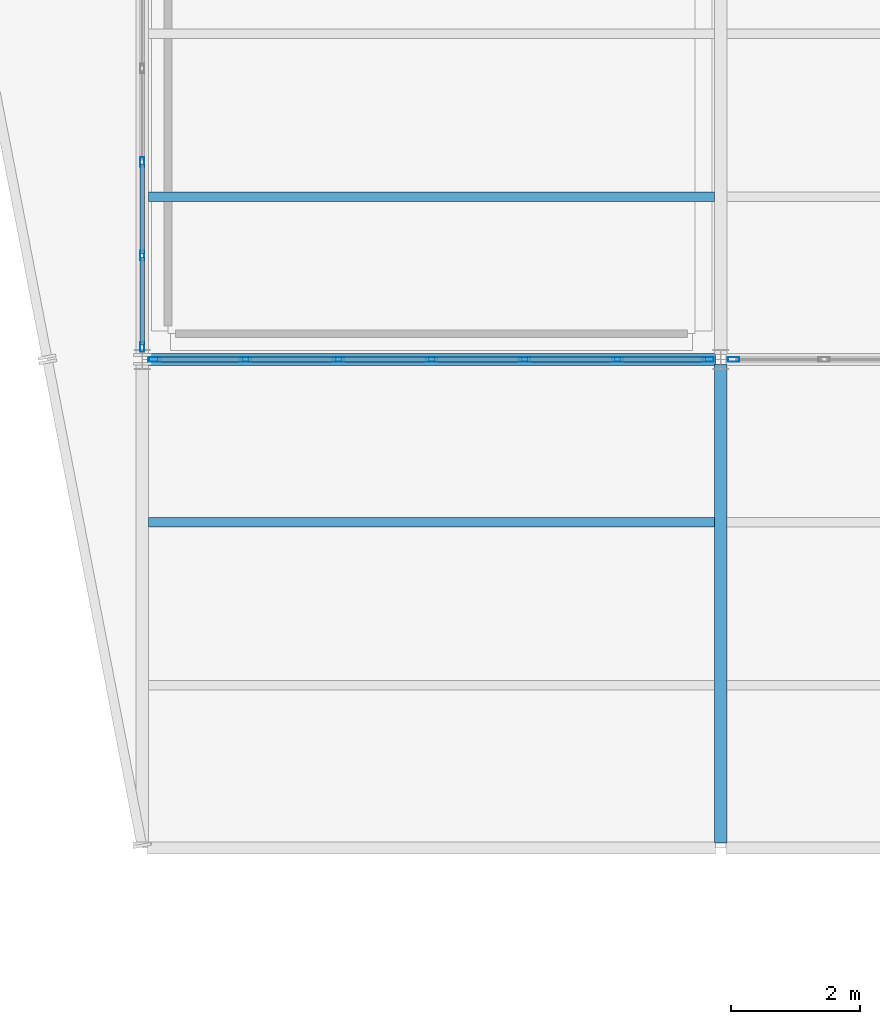
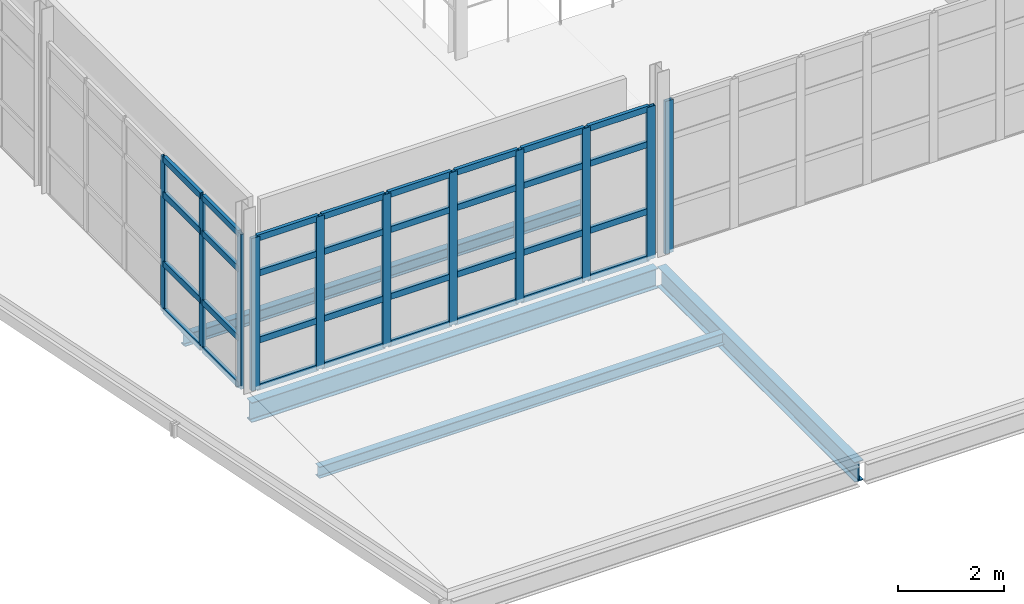
# One storey, part 38 of 96: 43 members, 4 beams, 3 elements without a shape of their own.
"""IFC4 building model written with IfcOpenShell, lengths in metres."""

from ifc_helpers import new_model, si_unit, direction, frame, origin, origin_2d, place, context, subcontext, project, spatial, hollow_rectangle, i_section, extrude, material, material_profile, profile_set, type_object, element, aggregate, save


model = new_model("IFC4")

# Units and contexts
model_context = context("Model", 3, precision=1e-05, world=origin(), true_north=direction((0.0, 1.0)))
body_context = subcontext(model_context, "Body", "Model", "MODEL_VIEW")
ifc_project = project(units=[si_unit("LENGTHUNIT", "METRE"), si_unit("AREAUNIT", "SQUARE_METRE"), si_unit("VOLUMEUNIT", "CUBIC_METRE"), si_unit("PLANEANGLEUNIT", "RADIAN"), si_unit("MASSUNIT", "GRAM", prefix="KILO")], contexts=[model_context])

# Site, building, storey
site_placement = place(None, origin())
site = spatial("IfcSite", under=ifc_project, at=site_placement, CompositionType="ELEMENT")
building_placement = place(site_placement, origin())
building = spatial("IfcBuilding", under=site, at=building_placement, Name="Caisbarro Railhouse Central Library", CompositionType="ELEMENT")
storey_placement = place(building_placement, frame((0.0, 0.0, 13.679931640625)))
storey = spatial("IfcBuildingStorey", under=building, at=storey_placement, Name="L03", CompositionType="ELEMENT", Elevation=13.679931640625)

# Beams
ifc_material_1 = material(Name="Steel ASTM A572 Grade 50", Category="steel")
ifc_material_profile_1 = material_profile(ifc_material_1, i_section(OverallWidth=0.18994140625, OverallDepth=0.45703125, WebThickness=0.009033203125, FlangeThickness=0.014404296875, FilletRadius=0.01806640625, at=origin_2d()), Name="W460X74.0")
ifc_profile_set_1 = profile_set([ifc_material_profile_1], Name="Steel ASTM A572 Grade 50")
beam_type_1 = type_object("IfcBeamType", Name="BM-G08", PredefinedType="BEAM", material=ifc_profile_set_1)
beam_1_placement = place(storey_placement, frame((126.0, 60.8798828125, -0.408447265625), z_axis=(0.0, 1.0, 0.0), x_axis=(-1.0, 0.0, 0.0)))
element("IfcBeam", 1, at=beam_1_placement, inside=storey, type_object=beam_type_1, Name="G08 beam L03 #2412", PredefinedType="BEAM", context=body_context, shape_type="SweptSolid", body=[
    extrude(i_section(OverallWidth=0.18994140625, OverallDepth=0.45703125, WebThickness=0.009033203125, FlangeThickness=0.014404296875, FilletRadius=0.01806640625, at=origin_2d()), origin(), (0.0, 0.0, 1.0), 7.440185546875),
])
ifc_material_profile_2 = material_profile(ifc_material_1, i_section(OverallWidth=0.14794921875, OverallDepth=0.26611328125, WebThickness=0.007568359375, FlangeThickness=0.012939453125, FilletRadius=0.010009765625, at=origin_2d()), Name="W250X44.8")
ifc_profile_set_2 = profile_set([ifc_material_profile_2], Name="Steel ASTM A572 Grade 50")
beam_type_2 = type_object("IfcBeamType", Name="BM-J04", PredefinedType="JOIST", material=ifc_profile_set_2)
for number, where, z_axis, x_axis, name in (
    (2, (117.10009765625, 70.933349609375, -0.35302734375), (1.0, 0.0, 0.0), (0.0, 1.0, 0.0), "J04 beam L03 #1909"),
    (3, (117.10009765625, 65.86669921875, -0.31298828125), (1.0, 0.0, 0.0), (0.0, 1.0, 0.0), "J04 beam L03 #2417"),
):
    element("IfcBeam", number, at=place(storey_placement, frame(where, z_axis=z_axis, x_axis=x_axis)), inside=storey, type_object=beam_type_2, Name=name, PredefinedType="JOIST", context=body_context, shape_type="SweptSolid", body=[
        extrude(i_section(OverallWidth=0.14794921875, OverallDepth=0.26611328125, WebThickness=0.007568359375, FlangeThickness=0.012939453125, FilletRadius=0.010009765625, at=origin_2d()), origin(), (0.0, 0.0, 1.0), 8.804931640625),
    ])
ifc_material_profile_3 = material_profile(ifc_material_1, i_section(OverallWidth=0.18994140625, OverallDepth=0.45703125, WebThickness=0.009033203125, FlangeThickness=0.014404296875, FilletRadius=0.01806640625, at=origin_2d()), Name="W460X74.0")
ifc_profile_set_3 = profile_set([ifc_material_profile_3], Name="Steel ASTM A572 Grade 50")
beam_type_3 = type_object("IfcBeamType", Name="BM-SP01", PredefinedType="SPANDREL", material=ifc_profile_set_3)
beam_2_placement = place(storey_placement, frame((117.080078125, 68.39990234375, -0.448486328125), z_axis=(1.0, 0.0, 0.0), x_axis=(0.0, 1.0, 0.0)))
element("IfcBeam", 4, at=beam_2_placement, inside=storey, type_object=beam_type_3, Name="SP01 beam L03 #1855", PredefinedType="SPANDREL", context=body_context, shape_type="SweptSolid", body=[
    extrude(i_section(OverallWidth=0.18994140625, OverallDepth=0.45703125, WebThickness=0.009033203125, FlangeThickness=0.014404296875, FilletRadius=0.01806640625, at=origin_2d()), origin(), (0.0, 0.0, 1.0), 8.83984375),
])

# Curtain wall, members
ifc_material_2 = material(Name="Anodised architectural aluminium", Category="aluminium")
curtain_wall_type = type_object("IfcCurtainWallType", Name="CW-CW02", PredefinedType="NOTDEFINED", material=ifc_material_2)
curtain_wall_1_placement = place(storey_placement, origin())
curtain_wall_1 = element("IfcCurtainWall", 5, at=curtain_wall_1_placement, inside=storey, type_object=curtain_wall_type, Name="CW02 curtain wall L03 #148", PredefinedType="NOTDEFINED")
ifc_material_profile_4 = material_profile(ifc_material_2, hollow_rectangle(XDim=0.074951171875, YDim=0.179931640625, WallThickness=0.00439453125, at=origin_2d()), Name="ALU-MUL-75X180")
ifc_profile_set_4 = profile_set([ifc_material_profile_4], Name="Anodised architectural aluminium")
member_type_1 = type_object("IfcMemberType", Name="CWM-M01", PredefinedType="MULLION", material=ifc_profile_set_4)
member_1_placement = place(storey_placement, frame((117.197509765625, 68.39990234375, 0.0), z_axis=(0.0, 0.0, 1.0), x_axis=(0.0, 1.0, 0.0)))
member_1 = element("IfcMember", 6, at=member_1_placement, type_object=member_type_1, Name="CW02 mullion 1", PredefinedType="MULLION", context=body_context, shape_type="SweptSolid", body=[
    extrude(hollow_rectangle(XDim=0.074951171875, YDim=0.179931640625, WallThickness=0.00439453125, at=origin_2d()), origin(), (0.0, 0.0, 1.0), 3.510009765625),
])
member_2_placement = place(storey_placement, frame((118.606689453125, 68.39990234375, 0.0), z_axis=(0.0, 0.0, 1.0), x_axis=(0.0, 1.0, 0.0)))
member_2 = element("IfcMember", 7, at=member_2_placement, type_object=member_type_1, Name="CW02 mullion 2", PredefinedType="MULLION", context=body_context, shape_type="SweptSolid", body=[
    extrude(hollow_rectangle(XDim=0.074951171875, YDim=0.179931640625, WallThickness=0.00439453125, at=origin_2d()), origin(), (0.0, 0.0, 1.0), 3.510009765625),
])
member_3_placement = place(storey_placement, frame((120.05322265625, 68.39990234375, 0.0), z_axis=(0.0, 0.0, 1.0), x_axis=(0.0, 1.0, 0.0)))
member_3 = element("IfcMember", 8, at=member_3_placement, type_object=member_type_1, Name="CW02 mullion 3", PredefinedType="MULLION", context=body_context, shape_type="SweptSolid", body=[
    extrude(hollow_rectangle(XDim=0.074951171875, YDim=0.179931640625, WallThickness=0.00439453125, at=origin_2d()), origin(), (0.0, 0.0, 1.0), 3.510009765625),
])
member_4_placement = place(storey_placement, frame((121.5, 68.39990234375, 0.0), z_axis=(0.0, 0.0, 1.0), x_axis=(0.0, 1.0, 0.0)))
member_4 = element("IfcMember", 9, at=member_4_placement, type_object=member_type_1, Name="CW02 mullion 4", PredefinedType="MULLION", context=body_context, shape_type="SweptSolid", body=[
    extrude(hollow_rectangle(XDim=0.074951171875, YDim=0.179931640625, WallThickness=0.00439453125, at=origin_2d()), origin(), (0.0, 0.0, 1.0), 3.510009765625),
])
member_5_placement = place(storey_placement, frame((122.94677734375, 68.39990234375, 0.0), z_axis=(0.0, 0.0, 1.0), x_axis=(0.0, 1.0, 0.0)))
member_5 = element("IfcMember", 10, at=member_5_placement, type_object=member_type_1, Name="CW02 mullion 5", PredefinedType="MULLION", context=body_context, shape_type="SweptSolid", body=[
    extrude(hollow_rectangle(XDim=0.074951171875, YDim=0.179931640625, WallThickness=0.00439453125, at=origin_2d()), origin(), (0.0, 0.0, 1.0), 3.510009765625),
])
member_6_placement = place(storey_placement, frame((124.393310546875, 68.39990234375, 0.0), z_axis=(0.0, 0.0, 1.0), x_axis=(0.0, 1.0, 0.0)))
member_6 = element("IfcMember", 11, at=member_6_placement, type_object=member_type_1, Name="CW02 mullion 6", PredefinedType="MULLION", context=body_context, shape_type="SweptSolid", body=[
    extrude(hollow_rectangle(XDim=0.074951171875, YDim=0.179931640625, WallThickness=0.00439453125, at=origin_2d()), origin(), (0.0, 0.0, 1.0), 3.510009765625),
])
member_7_placement = place(storey_placement, frame((125.802490234375, 68.39990234375, 0.0), z_axis=(0.0, 0.0, 1.0), x_axis=(0.0, 1.0, 0.0)))
member_7 = element("IfcMember", 12, at=member_7_placement, type_object=member_type_1, Name="CW02 mullion 7", PredefinedType="MULLION", context=body_context, shape_type="SweptSolid", body=[
    extrude(hollow_rectangle(XDim=0.074951171875, YDim=0.179931640625, WallThickness=0.00439453125, at=origin_2d()), origin(), (0.0, 0.0, 1.0), 3.510009765625),
])

# Curtain wall, member
curtain_wall_2_placement = place(storey_placement, origin())
curtain_wall_2 = element("IfcCurtainWall", 13, at=curtain_wall_2_placement, inside=storey, type_object=curtain_wall_type, Name="CW02 curtain wall L03 #149", PredefinedType="NOTDEFINED")
member_8_placement = place(storey_placement, frame((126.197509765625, 68.39990234375, 0.0), z_axis=(0.0, 0.0, 1.0), x_axis=(0.0, 1.0, 0.0)))
member_8 = element("IfcMember", 14, at=member_8_placement, type_object=member_type_1, Name="CW02 mullion 1", PredefinedType="MULLION", context=body_context, shape_type="SweptSolid", body=[
    extrude(hollow_rectangle(XDim=0.074951171875, YDim=0.179931640625, WallThickness=0.00439453125, at=origin_2d()), origin(), (0.0, 0.0, 1.0), 3.510009765625),
])
aggregate(curtain_wall_2, [member_8])

# Curtain wall, members
curtain_wall_3_placement = place(storey_placement, origin())
curtain_wall_3 = element("IfcCurtainWall", 15, at=curtain_wall_3_placement, inside=storey, type_object=curtain_wall_type, Name="CW02 curtain wall L03 #142", PredefinedType="NOTDEFINED")
ifc_material_profile_5 = material_profile(ifc_material_2, hollow_rectangle(XDim=0.06494140625, YDim=0.14990234375, WallThickness=0.00390625, at=origin_2d()), Name="ALU-MUL-65X150")
ifc_profile_set_5 = profile_set([ifc_material_profile_5], Name="Anodised architectural aluminium")
member_type_2 = type_object("IfcMemberType", Name="CWM-M02", PredefinedType="MULLION", material=ifc_profile_set_5)
member_9_placement = place(storey_placement, frame((117.0, 68.592529296875, 0.0), z_axis=(0.0, 0.0, 1.0), x_axis=(-1.0, 0.0, 0.0)))
member_9 = element("IfcMember", 16, at=member_9_placement, type_object=member_type_2, Name="CW02 mullion 1", PredefinedType="MULLION", context=body_context, shape_type="SweptSolid", body=[
    extrude(hollow_rectangle(XDim=0.06494140625, YDim=0.14990234375, WallThickness=0.00390625, at=origin_2d()), origin(), (0.0, 0.0, 1.0), 3.56005859375),
])
member_10_placement = place(storey_placement, frame((117.0, 70.01611328125, 0.0), z_axis=(0.0, 0.0, 1.0), x_axis=(-1.0, 0.0, 0.0)))
member_10 = element("IfcMember", 17, at=member_10_placement, type_object=member_type_2, Name="CW02 mullion 2", PredefinedType="MULLION", context=body_context, shape_type="SweptSolid", body=[
    extrude(hollow_rectangle(XDim=0.06494140625, YDim=0.14990234375, WallThickness=0.00390625, at=origin_2d()), origin(), (0.0, 0.0, 1.0), 3.56005859375),
])
member_11_placement = place(storey_placement, frame((117.0, 71.471923828125, 0.0), z_axis=(0.0, 0.0, 1.0), x_axis=(-1.0, 0.0, 0.0)))
member_11 = element("IfcMember", 18, at=member_11_placement, type_object=member_type_2, Name="CW02 mullion 3", PredefinedType="MULLION", context=body_context, shape_type="SweptSolid", body=[
    extrude(hollow_rectangle(XDim=0.06494140625, YDim=0.14990234375, WallThickness=0.00390625, at=origin_2d()), origin(), (0.0, 0.0, 1.0), 3.56005859375),
])
ifc_material_profile_6 = material_profile(ifc_material_2, hollow_rectangle(XDim=0.074951171875, YDim=0.139892578125, WallThickness=0.00390625, at=origin_2d()), Name="ALU-TRN-75X140")
ifc_profile_set_6 = profile_set([ifc_material_profile_6], Name="Anodised architectural aluminium")
member_type_3 = type_object("IfcMemberType", Name="CWT-T01", PredefinedType="USERDEFINED", material=ifc_profile_set_6)
member_12_placement = place(storey_placement, frame((117.0, 68.625, 0.03759765625), z_axis=(0.0, 1.0, 0.0), x_axis=(-1.0, 0.0, 0.0)))
member_12 = element("IfcMember", 19, at=member_12_placement, type_object=member_type_3, Name="CW02 transom 1.1", ObjectType="TRANSOM", PredefinedType="USERDEFINED", context=body_context, shape_type="SweptSolid", body=[
    extrude(hollow_rectangle(XDim=0.074951171875, YDim=0.139892578125, WallThickness=0.00390625, at=origin_2d()), origin(), (0.0, 0.0, 1.0), 1.3583984375),
])
member_13_placement = place(storey_placement, frame((117.0, 68.625, 1.1201171875), z_axis=(0.0, 1.0, 0.0), x_axis=(-1.0, 0.0, 0.0)))
member_13 = element("IfcMember", 20, at=member_13_placement, type_object=member_type_3, Name="CW02 transom 1.2", ObjectType="TRANSOM", PredefinedType="USERDEFINED", context=body_context, shape_type="SweptSolid", body=[
    extrude(hollow_rectangle(XDim=0.074951171875, YDim=0.139892578125, WallThickness=0.00390625, at=origin_2d()), origin(), (0.0, 0.0, 1.0), 1.3583984375),
])
member_14_placement = place(storey_placement, frame((117.0, 68.625, 2.7099609375), z_axis=(0.0, 1.0, 0.0), x_axis=(-1.0, 0.0, 0.0)))
member_14 = element("IfcMember", 21, at=member_14_placement, type_object=member_type_3, Name="CW02 transom 1.3", ObjectType="TRANSOM", PredefinedType="USERDEFINED", context=body_context, shape_type="SweptSolid", body=[
    extrude(hollow_rectangle(XDim=0.074951171875, YDim=0.139892578125, WallThickness=0.00390625, at=origin_2d()), origin(), (0.0, 0.0, 1.0), 1.3583984375),
])
member_15_placement = place(storey_placement, frame((117.0, 68.625, 3.5224609375), z_axis=(0.0, 1.0, 0.0), x_axis=(-1.0, 0.0, 0.0)))
member_15 = element("IfcMember", 22, at=member_15_placement, type_object=member_type_3, Name="CW02 transom 1.4", ObjectType="TRANSOM", PredefinedType="USERDEFINED", context=body_context, shape_type="SweptSolid", body=[
    extrude(hollow_rectangle(XDim=0.074951171875, YDim=0.139892578125, WallThickness=0.00390625, at=origin_2d()), origin(), (0.0, 0.0, 1.0), 1.3583984375),
])
member_16_placement = place(storey_placement, frame((117.0, 70.048583984375, 0.03759765625), z_axis=(0.0, 1.0, 0.0), x_axis=(-1.0, 0.0, 0.0)))
member_16 = element("IfcMember", 23, at=member_16_placement, type_object=member_type_3, Name="CW02 transom 2.1", ObjectType="TRANSOM", PredefinedType="USERDEFINED", context=body_context, shape_type="SweptSolid", body=[
    extrude(hollow_rectangle(XDim=0.074951171875, YDim=0.139892578125, WallThickness=0.00390625, at=origin_2d()), origin(), (0.0, 0.0, 1.0), 1.390869140625),
])
member_17_placement = place(storey_placement, frame((117.0, 70.048583984375, 1.1201171875), z_axis=(0.0, 1.0, 0.0), x_axis=(-1.0, 0.0, 0.0)))
member_17 = element("IfcMember", 24, at=member_17_placement, type_object=member_type_3, Name="CW02 transom 2.2", ObjectType="TRANSOM", PredefinedType="USERDEFINED", context=body_context, shape_type="SweptSolid", body=[
    extrude(hollow_rectangle(XDim=0.074951171875, YDim=0.139892578125, WallThickness=0.00390625, at=origin_2d()), origin(), (0.0, 0.0, 1.0), 1.390869140625),
])
member_18_placement = place(storey_placement, frame((117.0, 70.048583984375, 2.7099609375), z_axis=(0.0, 1.0, 0.0), x_axis=(-1.0, 0.0, 0.0)))
member_18 = element("IfcMember", 25, at=member_18_placement, type_object=member_type_3, Name="CW02 transom 2.3", ObjectType="TRANSOM", PredefinedType="USERDEFINED", context=body_context, shape_type="SweptSolid", body=[
    extrude(hollow_rectangle(XDim=0.074951171875, YDim=0.139892578125, WallThickness=0.00390625, at=origin_2d()), origin(), (0.0, 0.0, 1.0), 1.390869140625),
])
member_19_placement = place(storey_placement, frame((117.0, 70.048583984375, 3.5224609375), z_axis=(0.0, 1.0, 0.0), x_axis=(-1.0, 0.0, 0.0)))
member_19 = element("IfcMember", 26, at=member_19_placement, type_object=member_type_3, Name="CW02 transom 2.4", ObjectType="TRANSOM", PredefinedType="USERDEFINED", context=body_context, shape_type="SweptSolid", body=[
    extrude(hollow_rectangle(XDim=0.074951171875, YDim=0.139892578125, WallThickness=0.00390625, at=origin_2d()), origin(), (0.0, 0.0, 1.0), 1.390869140625),
])
aggregate(curtain_wall_3, [member_9, member_10, member_11, member_12, member_13, member_14, member_15, member_16, member_17, member_18, member_19])

# Member
member_20_placement = place(storey_placement, frame((117.235107421875, 68.39990234375, 0.03759765625), z_axis=(1.0, 0.0, 0.0), x_axis=(0.0, 1.0, 0.0)))
member_20 = element("IfcMember", 27, at=member_20_placement, type_object=member_type_3, Name="CW02 transom 1.1", ObjectType="TRANSOM", PredefinedType="USERDEFINED", context=body_context, shape_type="SweptSolid", body=[
    extrude(hollow_rectangle(XDim=0.074951171875, YDim=0.139892578125, WallThickness=0.00390625, at=origin_2d()), origin(), (0.0, 0.0, 1.0), 1.333984375),
])

member_21_placement = place(storey_placement, frame((117.235107421875, 68.39990234375, 1.1201171875), z_axis=(1.0, 0.0, 0.0), x_axis=(0.0, 1.0, 0.0)))
member_21 = element("IfcMember", 28, at=member_21_placement, type_object=member_type_3, Name="CW02 transom 1.2", ObjectType="TRANSOM", PredefinedType="USERDEFINED", context=body_context, shape_type="SweptSolid", body=[
    extrude(hollow_rectangle(XDim=0.074951171875, YDim=0.139892578125, WallThickness=0.00390625, at=origin_2d()), origin(), (0.0, 0.0, 1.0), 1.333984375),
])

member_22_placement = place(storey_placement, frame((117.235107421875, 68.39990234375, 2.66015625), z_axis=(1.0, 0.0, 0.0), x_axis=(0.0, 1.0, 0.0)))
member_22 = element("IfcMember", 29, at=member_22_placement, type_object=member_type_3, Name="CW02 transom 1.3", ObjectType="TRANSOM", PredefinedType="USERDEFINED", context=body_context, shape_type="SweptSolid", body=[
    extrude(hollow_rectangle(XDim=0.074951171875, YDim=0.139892578125, WallThickness=0.00390625, at=origin_2d()), origin(), (0.0, 0.0, 1.0), 1.333984375),
])

member_23_placement = place(storey_placement, frame((117.235107421875, 68.39990234375, 3.47265625), z_axis=(1.0, 0.0, 0.0), x_axis=(0.0, 1.0, 0.0)))
member_23 = element("IfcMember", 30, at=member_23_placement, type_object=member_type_3, Name="CW02 transom 1.4", ObjectType="TRANSOM", PredefinedType="USERDEFINED", context=body_context, shape_type="SweptSolid", body=[
    extrude(hollow_rectangle(XDim=0.074951171875, YDim=0.139892578125, WallThickness=0.00390625, at=origin_2d()), origin(), (0.0, 0.0, 1.0), 1.333984375),
])

member_24_placement = place(storey_placement, frame((118.644287109375, 68.39990234375, 0.03759765625), z_axis=(1.0, 0.0, 0.0), x_axis=(0.0, 1.0, 0.0)))
member_24 = element("IfcMember", 31, at=member_24_placement, type_object=member_type_3, Name="CW02 transom 2.1", ObjectType="TRANSOM", PredefinedType="USERDEFINED", context=body_context, shape_type="SweptSolid", body=[
    extrude(hollow_rectangle(XDim=0.074951171875, YDim=0.139892578125, WallThickness=0.00390625, at=origin_2d()), origin(), (0.0, 0.0, 1.0), 1.37158203125),
])

member_25_placement = place(storey_placement, frame((118.644287109375, 68.39990234375, 1.1201171875), z_axis=(1.0, 0.0, 0.0), x_axis=(0.0, 1.0, 0.0)))
member_25 = element("IfcMember", 32, at=member_25_placement, type_object=member_type_3, Name="CW02 transom 2.2", ObjectType="TRANSOM", PredefinedType="USERDEFINED", context=body_context, shape_type="SweptSolid", body=[
    extrude(hollow_rectangle(XDim=0.074951171875, YDim=0.139892578125, WallThickness=0.00390625, at=origin_2d()), origin(), (0.0, 0.0, 1.0), 1.37158203125),
])

member_26_placement = place(storey_placement, frame((118.644287109375, 68.39990234375, 2.66015625), z_axis=(1.0, 0.0, 0.0), x_axis=(0.0, 1.0, 0.0)))
member_26 = element("IfcMember", 33, at=member_26_placement, type_object=member_type_3, Name="CW02 transom 2.3", ObjectType="TRANSOM", PredefinedType="USERDEFINED", context=body_context, shape_type="SweptSolid", body=[
    extrude(hollow_rectangle(XDim=0.074951171875, YDim=0.139892578125, WallThickness=0.00390625, at=origin_2d()), origin(), (0.0, 0.0, 1.0), 1.37158203125),
])

member_27_placement = place(storey_placement, frame((118.644287109375, 68.39990234375, 3.47265625), z_axis=(1.0, 0.0, 0.0), x_axis=(0.0, 1.0, 0.0)))
member_27 = element("IfcMember", 34, at=member_27_placement, type_object=member_type_3, Name="CW02 transom 2.4", ObjectType="TRANSOM", PredefinedType="USERDEFINED", context=body_context, shape_type="SweptSolid", body=[
    extrude(hollow_rectangle(XDim=0.074951171875, YDim=0.139892578125, WallThickness=0.00390625, at=origin_2d()), origin(), (0.0, 0.0, 1.0), 1.37158203125),
])

member_28_placement = place(storey_placement, frame((120.0908203125, 68.39990234375, 0.03759765625), z_axis=(1.0, 0.0, 0.0), x_axis=(0.0, 1.0, 0.0)))
member_28 = element("IfcMember", 35, at=member_28_placement, type_object=member_type_3, Name="CW02 transom 3.1", ObjectType="TRANSOM", PredefinedType="USERDEFINED", context=body_context, shape_type="SweptSolid", body=[
    extrude(hollow_rectangle(XDim=0.074951171875, YDim=0.139892578125, WallThickness=0.00390625, at=origin_2d()), origin(), (0.0, 0.0, 1.0), 1.37158203125),
])

member_29_placement = place(storey_placement, frame((120.0908203125, 68.39990234375, 1.1201171875), z_axis=(1.0, 0.0, 0.0), x_axis=(0.0, 1.0, 0.0)))
member_29 = element("IfcMember", 36, at=member_29_placement, type_object=member_type_3, Name="CW02 transom 3.2", ObjectType="TRANSOM", PredefinedType="USERDEFINED", context=body_context, shape_type="SweptSolid", body=[
    extrude(hollow_rectangle(XDim=0.074951171875, YDim=0.139892578125, WallThickness=0.00390625, at=origin_2d()), origin(), (0.0, 0.0, 1.0), 1.37158203125),
])

member_30_placement = place(storey_placement, frame((120.0908203125, 68.39990234375, 2.66015625), z_axis=(1.0, 0.0, 0.0), x_axis=(0.0, 1.0, 0.0)))
member_30 = element("IfcMember", 37, at=member_30_placement, type_object=member_type_3, Name="CW02 transom 3.3", ObjectType="TRANSOM", PredefinedType="USERDEFINED", context=body_context, shape_type="SweptSolid", body=[
    extrude(hollow_rectangle(XDim=0.074951171875, YDim=0.139892578125, WallThickness=0.00390625, at=origin_2d()), origin(), (0.0, 0.0, 1.0), 1.37158203125),
])

member_31_placement = place(storey_placement, frame((120.0908203125, 68.39990234375, 3.47265625), z_axis=(1.0, 0.0, 0.0), x_axis=(0.0, 1.0, 0.0)))
member_31 = element("IfcMember", 38, at=member_31_placement, type_object=member_type_3, Name="CW02 transom 3.4", ObjectType="TRANSOM", PredefinedType="USERDEFINED", context=body_context, shape_type="SweptSolid", body=[
    extrude(hollow_rectangle(XDim=0.074951171875, YDim=0.139892578125, WallThickness=0.00390625, at=origin_2d()), origin(), (0.0, 0.0, 1.0), 1.37158203125),
])

member_32_placement = place(storey_placement, frame((121.53759765625, 68.39990234375, 0.03759765625), z_axis=(1.0, 0.0, 0.0), x_axis=(0.0, 1.0, 0.0)))
member_32 = element("IfcMember", 39, at=member_32_placement, type_object=member_type_3, Name="CW02 transom 4.1", ObjectType="TRANSOM", PredefinedType="USERDEFINED", context=body_context, shape_type="SweptSolid", body=[
    extrude(hollow_rectangle(XDim=0.074951171875, YDim=0.139892578125, WallThickness=0.00390625, at=origin_2d()), origin(), (0.0, 0.0, 1.0), 1.37158203125),
])

member_33_placement = place(storey_placement, frame((121.53759765625, 68.39990234375, 1.1201171875), z_axis=(1.0, 0.0, 0.0), x_axis=(0.0, 1.0, 0.0)))
member_33 = element("IfcMember", 40, at=member_33_placement, type_object=member_type_3, Name="CW02 transom 4.2", ObjectType="TRANSOM", PredefinedType="USERDEFINED", context=body_context, shape_type="SweptSolid", body=[
    extrude(hollow_rectangle(XDim=0.074951171875, YDim=0.139892578125, WallThickness=0.00390625, at=origin_2d()), origin(), (0.0, 0.0, 1.0), 1.37158203125),
])

member_34_placement = place(storey_placement, frame((121.53759765625, 68.39990234375, 2.66015625), z_axis=(1.0, 0.0, 0.0), x_axis=(0.0, 1.0, 0.0)))
member_34 = element("IfcMember", 41, at=member_34_placement, type_object=member_type_3, Name="CW02 transom 4.3", ObjectType="TRANSOM", PredefinedType="USERDEFINED", context=body_context, shape_type="SweptSolid", body=[
    extrude(hollow_rectangle(XDim=0.074951171875, YDim=0.139892578125, WallThickness=0.00390625, at=origin_2d()), origin(), (0.0, 0.0, 1.0), 1.37158203125),
])

member_35_placement = place(storey_placement, frame((121.53759765625, 68.39990234375, 3.47265625), z_axis=(1.0, 0.0, 0.0), x_axis=(0.0, 1.0, 0.0)))
member_35 = element("IfcMember", 42, at=member_35_placement, type_object=member_type_3, Name="CW02 transom 4.4", ObjectType="TRANSOM", PredefinedType="USERDEFINED", context=body_context, shape_type="SweptSolid", body=[
    extrude(hollow_rectangle(XDim=0.074951171875, YDim=0.139892578125, WallThickness=0.00390625, at=origin_2d()), origin(), (0.0, 0.0, 1.0), 1.37158203125),
])

member_36_placement = place(storey_placement, frame((122.984130859375, 68.39990234375, 0.03759765625), z_axis=(1.0, 0.0, 0.0), x_axis=(0.0, 1.0, 0.0)))
member_36 = element("IfcMember", 43, at=member_36_placement, type_object=member_type_3, Name="CW02 transom 5.1", ObjectType="TRANSOM", PredefinedType="USERDEFINED", context=body_context, shape_type="SweptSolid", body=[
    extrude(hollow_rectangle(XDim=0.074951171875, YDim=0.139892578125, WallThickness=0.00390625, at=origin_2d()), origin(), (0.0, 0.0, 1.0), 1.37158203125),
])

member_37_placement = place(storey_placement, frame((122.984130859375, 68.39990234375, 1.1201171875), z_axis=(1.0, 0.0, 0.0), x_axis=(0.0, 1.0, 0.0)))
member_37 = element("IfcMember", 44, at=member_37_placement, type_object=member_type_3, Name="CW02 transom 5.2", ObjectType="TRANSOM", PredefinedType="USERDEFINED", context=body_context, shape_type="SweptSolid", body=[
    extrude(hollow_rectangle(XDim=0.074951171875, YDim=0.139892578125, WallThickness=0.00390625, at=origin_2d()), origin(), (0.0, 0.0, 1.0), 1.37158203125),
])

member_38_placement = place(storey_placement, frame((122.984130859375, 68.39990234375, 2.66015625), z_axis=(1.0, 0.0, 0.0), x_axis=(0.0, 1.0, 0.0)))
member_38 = element("IfcMember", 45, at=member_38_placement, type_object=member_type_3, Name="CW02 transom 5.3", ObjectType="TRANSOM", PredefinedType="USERDEFINED", context=body_context, shape_type="SweptSolid", body=[
    extrude(hollow_rectangle(XDim=0.074951171875, YDim=0.139892578125, WallThickness=0.00390625, at=origin_2d()), origin(), (0.0, 0.0, 1.0), 1.37158203125),
])

member_39_placement = place(storey_placement, frame((122.984130859375, 68.39990234375, 3.47265625), z_axis=(1.0, 0.0, 0.0), x_axis=(0.0, 1.0, 0.0)))
member_39 = element("IfcMember", 46, at=member_39_placement, type_object=member_type_3, Name="CW02 transom 5.4", ObjectType="TRANSOM", PredefinedType="USERDEFINED", context=body_context, shape_type="SweptSolid", body=[
    extrude(hollow_rectangle(XDim=0.074951171875, YDim=0.139892578125, WallThickness=0.00390625, at=origin_2d()), origin(), (0.0, 0.0, 1.0), 1.37158203125),
])

member_40_placement = place(storey_placement, frame((124.430908203125, 68.39990234375, 0.03759765625), z_axis=(1.0, 0.0, 0.0), x_axis=(0.0, 1.0, 0.0)))
member_40 = element("IfcMember", 47, at=member_40_placement, type_object=member_type_3, Name="CW02 transom 6.1", ObjectType="TRANSOM", PredefinedType="USERDEFINED", context=body_context, shape_type="SweptSolid", body=[
    extrude(hollow_rectangle(XDim=0.074951171875, YDim=0.139892578125, WallThickness=0.00390625, at=origin_2d()), origin(), (0.0, 0.0, 1.0), 1.333984375),
])

member_41_placement = place(storey_placement, frame((124.430908203125, 68.39990234375, 1.1201171875), z_axis=(1.0, 0.0, 0.0), x_axis=(0.0, 1.0, 0.0)))
member_41 = element("IfcMember", 48, at=member_41_placement, type_object=member_type_3, Name="CW02 transom 6.2", ObjectType="TRANSOM", PredefinedType="USERDEFINED", context=body_context, shape_type="SweptSolid", body=[
    extrude(hollow_rectangle(XDim=0.074951171875, YDim=0.139892578125, WallThickness=0.00390625, at=origin_2d()), origin(), (0.0, 0.0, 1.0), 1.333984375),
])

member_42_placement = place(storey_placement, frame((124.430908203125, 68.39990234375, 2.66015625), z_axis=(1.0, 0.0, 0.0), x_axis=(0.0, 1.0, 0.0)))
member_42 = element("IfcMember", 49, at=member_42_placement, type_object=member_type_3, Name="CW02 transom 6.3", ObjectType="TRANSOM", PredefinedType="USERDEFINED", context=body_context, shape_type="SweptSolid", body=[
    extrude(hollow_rectangle(XDim=0.074951171875, YDim=0.139892578125, WallThickness=0.00390625, at=origin_2d()), origin(), (0.0, 0.0, 1.0), 1.333984375),
])

member_43_placement = place(storey_placement, frame((124.430908203125, 68.39990234375, 3.47265625), z_axis=(1.0, 0.0, 0.0), x_axis=(0.0, 1.0, 0.0)))
member_43 = element("IfcMember", 50, at=member_43_placement, type_object=member_type_3, Name="CW02 transom 6.4", ObjectType="TRANSOM", PredefinedType="USERDEFINED", context=body_context, shape_type="SweptSolid", body=[
    extrude(hollow_rectangle(XDim=0.074951171875, YDim=0.139892578125, WallThickness=0.00390625, at=origin_2d()), origin(), (0.0, 0.0, 1.0), 1.333984375),
])

aggregate(curtain_wall_1, [member_1, member_2, member_3, member_4, member_5, member_6, member_7, member_20, member_21, member_22, member_23, member_24, member_25, member_26, member_27, member_28, member_29, member_30, member_31, member_32, member_33, member_34, member_35, member_36, member_37, member_38, member_39, member_40, member_41, member_42, member_43])

save(model, "model.ifc")
